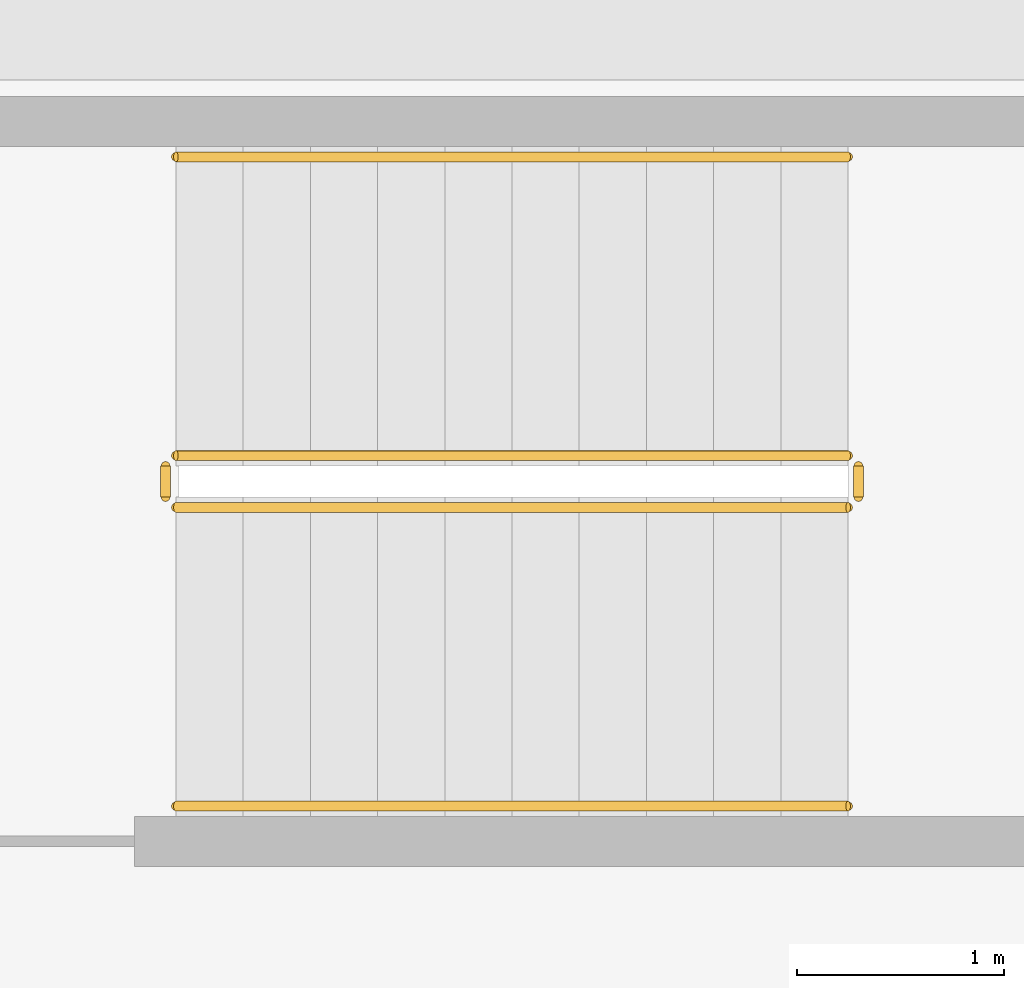
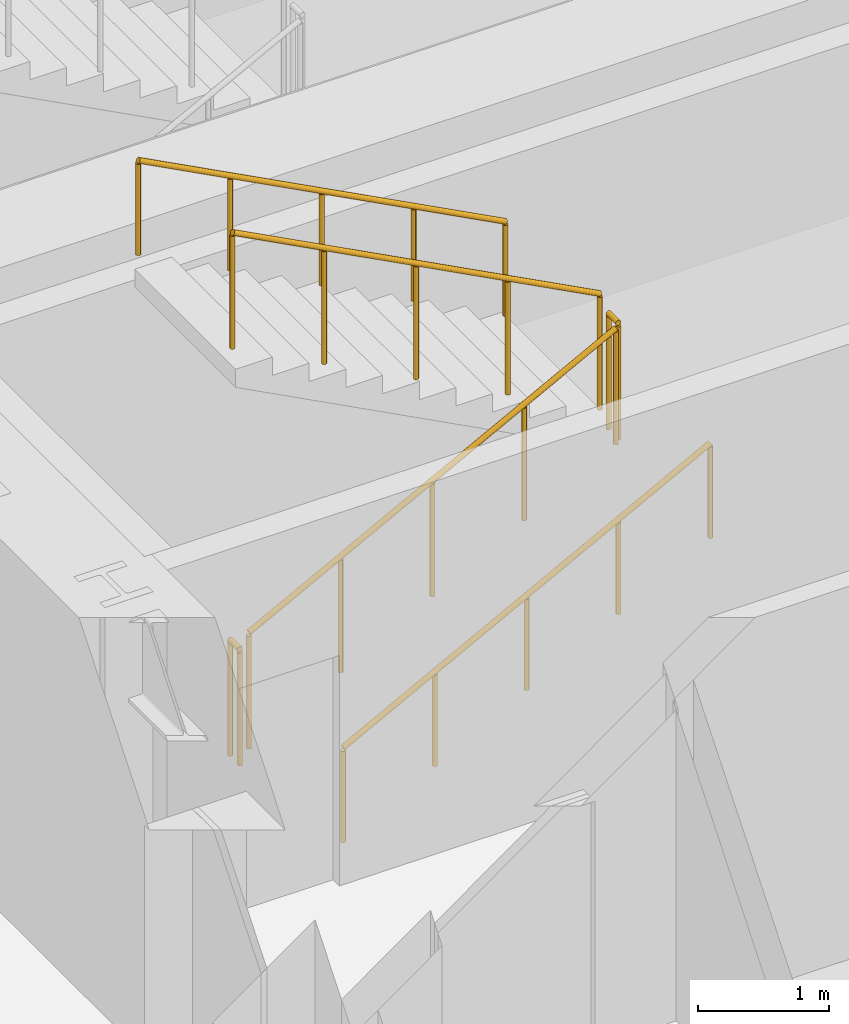
# One storey, part 12 of 15: 6 railings.
"""IFC4 building model written with IfcOpenShell, lengths in metres."""

from ifc_helpers import new_model, si_unit, direction, frame, origin, origin_2d, place, context, subcontext, project, spatial, circle, extrude, material, type_object, element, save


model = new_model("IFC4")

# Units and contexts
model_context = context("Model", 3, precision=1e-05, world=origin(), true_north=direction((0.0, 1.0)))
body_context = subcontext(model_context, "Body", "Model", "MODEL_VIEW")
ifc_project = project(units=[si_unit("LENGTHUNIT", "METRE"), si_unit("AREAUNIT", "SQUARE_METRE"), si_unit("VOLUMEUNIT", "CUBIC_METRE"), si_unit("PLANEANGLEUNIT", "RADIAN"), si_unit("MASSUNIT", "GRAM", prefix="KILO")], contexts=[model_context])

# Site, building, storey
site_placement = place(None, origin())
site = spatial("IfcSite", under=ifc_project, at=site_placement, CompositionType="ELEMENT")
building_placement = place(site_placement, origin())
building = spatial("IfcBuilding", under=site, at=building_placement, Name="Kolvaren Arena Tower", CompositionType="ELEMENT")
storey_placement = place(building_placement, frame((0.0, 0.0, 68.25)))
storey = spatial("IfcBuildingStorey", under=building, at=storey_placement, Name="L14", CompositionType="ELEMENT", Elevation=68.25)

# Railings
ifc_material_1 = material(Name="Painted galvanized steel", Category="steel")
railing_type_1 = type_object("IfcRailingType", Name="GUARD-ST-110", PredefinedType="GUARDRAIL", material=ifc_material_1)
railing_1_placement = place(storey_placement, frame((52.719970703125, 31.639892578125, 0.17041015625)))
element("IfcRailing", 1, at=railing_1_placement, inside=storey, type_object=railing_type_1, Name="L14 ST-E1 stair guard 1", PredefinedType="GUARDRAIL", context=body_context, shape_type="SweptSolid", body=[
    extrude(circle(Radius=0.02392578125, at=origin_2d()), frame((0.0, 0.0, 1.076171875), z_axis=(0.884993431791, 0.0, 0.465603506952), x_axis=(0.0, 1.0, 0.0)), (0.0, 0.0, 1.0), 3.6611328125),
    extrude(circle(Radius=0.02099609375, at=origin_2d()), origin(), (0.0, 0.0, 1.0), 1.052001953125),
    extrude(circle(Radius=0.02099609375, at=origin_2d()), frame((0.81005859375, 0.0, 0.42626953125)), (0.0, 0.0, 1.0), 1.052001953125),
    extrude(circle(Radius=0.02099609375, at=origin_2d()), frame((1.6201171875, 0.0, 0.852294921875)), (0.0, 0.0, 1.0), 1.052001953125),
    extrude(circle(Radius=0.02099609375, at=origin_2d()), frame((2.429931640625, 0.0, 1.2783203125)), (0.0, 0.0, 1.0), 1.052001953125),
    extrude(circle(Radius=0.02099609375, at=origin_2d()), frame((3.239990234375, 0.0, 1.70458984375)), (0.0, 0.0, 1.0), 1.052001953125),
])
railing_2_placement = place(storey_placement, frame((56.010009765625, 31.68994140625, 1.875)))
element("IfcRailing", 2, at=railing_2_placement, inside=storey, type_object=railing_type_1, Name="L14 ST-E1 stair guard 2", PredefinedType="GUARDRAIL", context=body_context, shape_type="SweptSolid", body=[
    extrude(circle(Radius=0.02392578125, at=origin_2d()), frame((0.0, 0.0, 1.076171875), z_axis=(0.0, 1.0, 0.0), x_axis=(-1.0, 0.0, 0.0)), (0.0, 0.0, 1.0), 0.150146484375),
    extrude(circle(Radius=0.02099609375, at=origin_2d()), origin(), (0.0, 0.0, 1.0), 1.052001953125),
    extrude(circle(Radius=0.02099609375, at=origin_2d()), frame((0.0, 0.150146484375, 0.0)), (0.0, 0.0, 1.0), 1.052001953125),
])
railing_3_placement = place(storey_placement, frame((55.9599609375, 31.889892578125, 2.04541015625)))
element("IfcRailing", 3, at=railing_3_placement, inside=storey, type_object=railing_type_1, Name="L14 ST-E1 stair guard 3", PredefinedType="GUARDRAIL", context=body_context, shape_type="SweptSolid", body=[
    extrude(circle(Radius=0.02392578125, at=origin_2d()), frame((0.0, 0.0, 1.076171875), z_axis=(-0.884993431791, 0.0, 0.465603506952), x_axis=(0.0, -1.0, 0.0)), (0.0, 0.0, 1.0), 3.6611328125),
    extrude(circle(Radius=0.02099609375, at=origin_2d()), origin(), (0.0, 0.0, 1.0), 1.052001953125),
    extrude(circle(Radius=0.02099609375, at=origin_2d()), frame((-0.81005859375, 0.0, 0.42626953125)), (0.0, 0.0, 1.0), 1.052001953125),
    extrude(circle(Radius=0.02099609375, at=origin_2d()), frame((-1.6201171875, 0.0, 0.852294921875)), (0.0, 0.0, 1.0), 1.052001953125),
    extrude(circle(Radius=0.02099609375, at=origin_2d()), frame((-2.429931640625, 0.0, 1.2783203125)), (0.0, 0.0, 1.0), 1.052001953125),
    extrude(circle(Radius=0.02099609375, at=origin_2d()), frame((-3.239990234375, 0.0, 1.70458984375)), (0.0, 0.0, 1.0), 1.052001953125),
])
railing_4_placement = place(storey_placement, frame((52.669921875, 31.68994140625, 0.0)))
element("IfcRailing", 4, at=railing_4_placement, inside=storey, type_object=railing_type_1, Name="L14 ST-E1 stair guard 4", PredefinedType="GUARDRAIL", context=body_context, shape_type="SweptSolid", body=[
    extrude(circle(Radius=0.02392578125, at=origin_2d()), frame((0.0, 0.0, 1.076171875), z_axis=(0.0, 1.0, 0.0), x_axis=(-1.0, 0.0, 0.0)), (0.0, 0.0, 1.0), 0.150146484375),
    extrude(circle(Radius=0.02099609375, at=origin_2d()), origin(), (0.0, 0.0, 1.0), 1.052001953125),
    extrude(circle(Radius=0.02099609375, at=origin_2d()), frame((0.0, 0.150146484375, 0.0)), (0.0, 0.0, 1.0), 1.052001953125),
])
ifc_material_2 = material(Name="Brushed stainless steel handrail", Category="steel")
railing_type_2 = type_object("IfcRailingType", Name="HRAIL-900", PredefinedType="HANDRAIL", material=ifc_material_2)
railing_5_placement = place(storey_placement, frame((52.719970703125, 30.199951171875, 0.17041015625)))
element("IfcRailing", 5, at=railing_5_placement, inside=storey, type_object=railing_type_2, Name="L14 ST-E1 stair handrail 1", PredefinedType="HANDRAIL", context=body_context, shape_type="SweptSolid", body=[
    extrude(circle(Radius=0.02392578125, at=origin_2d()), frame((0.0, 0.0, 0.8759765625), z_axis=(0.884993431791, 0.0, 0.465603506952), x_axis=(0.0, 1.0, 0.0)), (0.0, 0.0, 1.0), 3.6611328125),
    extrude(circle(Radius=0.02099609375, at=origin_2d()), origin(), (0.0, 0.0, 1.0), 0.851806640625),
    extrude(circle(Radius=0.02099609375, at=origin_2d()), frame((0.81005859375, 0.0, 0.42626953125)), (0.0, 0.0, 1.0), 0.851806640625),
    extrude(circle(Radius=0.02099609375, at=origin_2d()), frame((1.6201171875, 0.0, 0.852294921875)), (0.0, 0.0, 1.0), 0.851806640625),
    extrude(circle(Radius=0.02099609375, at=origin_2d()), frame((2.429931640625, 0.0, 1.2783203125)), (0.0, 0.0, 1.0), 0.851806640625),
    extrude(circle(Radius=0.02099609375, at=origin_2d()), frame((3.239990234375, 0.0, 1.70458984375)), (0.0, 0.0, 1.0), 0.851806640625),
])
railing_6_placement = place(storey_placement, frame((55.9599609375, 33.330078125, 2.04541015625)))
element("IfcRailing", 6, at=railing_6_placement, inside=storey, type_object=railing_type_2, Name="L14 ST-E1 stair handrail 2", PredefinedType="HANDRAIL", context=body_context, shape_type="SweptSolid", body=[
    extrude(circle(Radius=0.02392578125, at=origin_2d()), frame((0.0, 0.0, 0.8759765625), z_axis=(-0.884993431791, 0.0, 0.465603506952), x_axis=(0.0, -1.0, 0.0)), (0.0, 0.0, 1.0), 3.6611328125),
    extrude(circle(Radius=0.02099609375, at=origin_2d()), origin(), (0.0, 0.0, 1.0), 0.851806640625),
    extrude(circle(Radius=0.02099609375, at=origin_2d()), frame((-0.81005859375, 0.0, 0.42626953125)), (0.0, 0.0, 1.0), 0.851806640625),
    extrude(circle(Radius=0.02099609375, at=origin_2d()), frame((-1.6201171875, 0.0, 0.852294921875)), (0.0, 0.0, 1.0), 0.851806640625),
    extrude(circle(Radius=0.02099609375, at=origin_2d()), frame((-2.429931640625, 0.0, 1.2783203125)), (0.0, 0.0, 1.0), 0.851806640625),
    extrude(circle(Radius=0.02099609375, at=origin_2d()), frame((-3.239990234375, 0.0, 1.70458984375)), (0.0, 0.0, 1.0), 0.851806640625),
])

save(model, "model.ifc")
